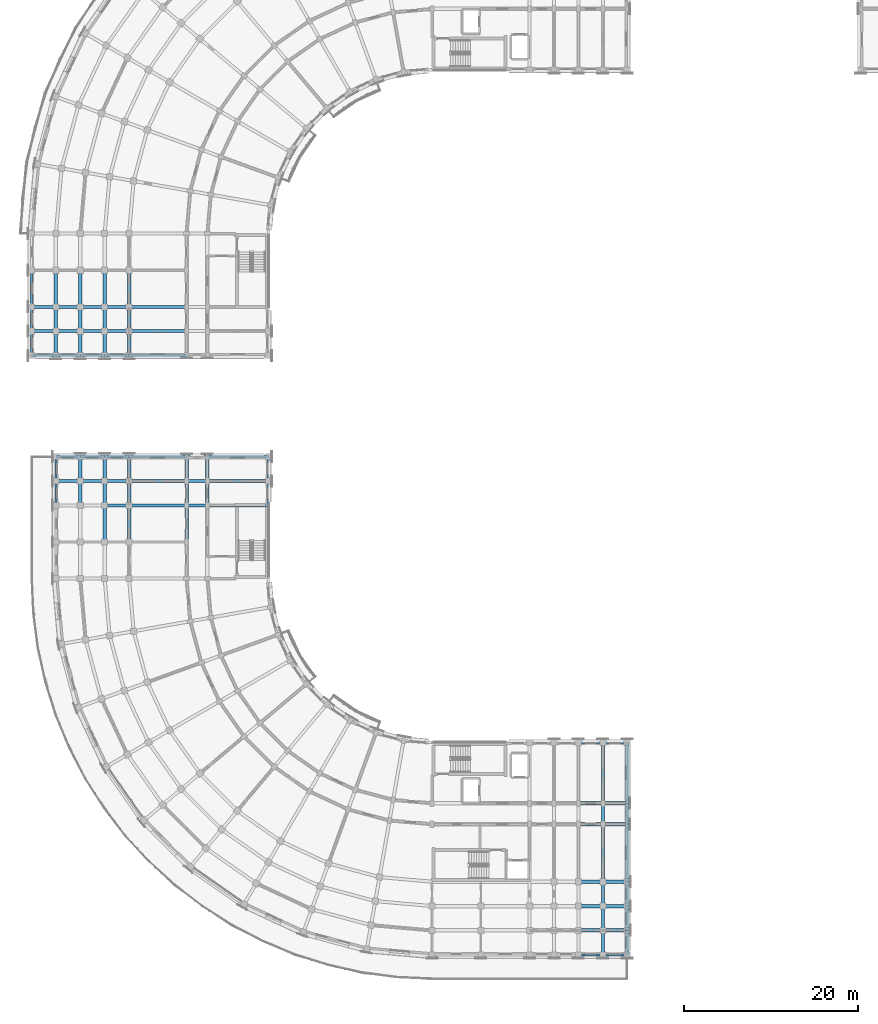
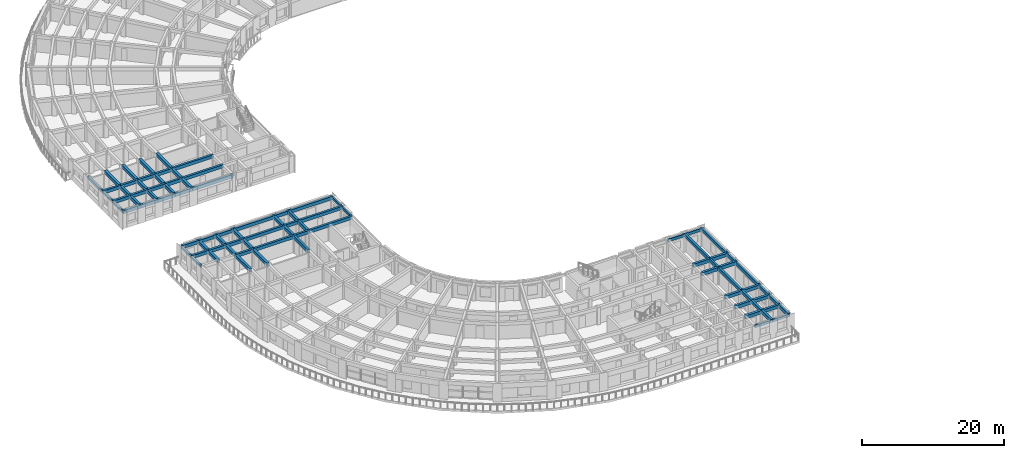
# One storey, part 7 of 57: 89 beams.
"""IFC4 building model written with IfcOpenShell, lengths in metres."""

from ifc_helpers import new_model, si_unit, direction, frame, origin, origin_2d, place, context, subcontext, project, spatial, rectangle, extrude, material, material_profile, profile_set, type_object, element, save


model = new_model("IFC4")

# Units and contexts
model_context = context("Model", 3, precision=1e-05, world=origin(), true_north=direction((0.0, 1.0)))
body_context = subcontext(model_context, "Body", "Model", "MODEL_VIEW")
ifc_project = project(units=[si_unit("LENGTHUNIT", "METRE"), si_unit("AREAUNIT", "SQUARE_METRE"), si_unit("VOLUMEUNIT", "CUBIC_METRE"), si_unit("PLANEANGLEUNIT", "RADIAN"), si_unit("MASSUNIT", "GRAM", prefix="KILO")], contexts=[model_context])

# Site, building, storey
site_placement = place(None, origin())
site = spatial("IfcSite", under=ifc_project, at=site_placement, CompositionType="ELEMENT")
building_placement = place(site_placement, origin())
building = spatial("IfcBuilding", under=site, at=building_placement, Name="Kiranvali Square Residences", CompositionType="ELEMENT")
storey_placement = place(building_placement, frame((0.0, 0.0, 21.300048828125)))
storey = spatial("IfcBuildingStorey", under=building, at=storey_placement, Name="L06", CompositionType="ELEMENT", Elevation=21.300048828125)

# Beams
ifc_material_1 = material(Name="Concrete M40 (40 MPa)", Category="concrete")
ifc_material_profile_1 = material_profile(ifc_material_1, rectangle(XDim=0.35009765625, YDim=0.550048828125, at=origin_2d()), Name="RC 350x550")
ifc_profile_set_1 = profile_set([ifc_material_profile_1], Name="Concrete M40 (40 MPa)")
beam_type_1 = type_object("IfcBeamType", Name="BM-M40-350x550", PredefinedType="BEAM", material=ifc_profile_set_1)
beam_1_placement = place(storey_placement, frame((20.0, 79.39990234375, 2.655029296875), z_axis=(-1.0, 0.0, 0.0), x_axis=(0.0, -1.0, 0.0)))
element("IfcBeam", 1, at=beam_1_placement, inside=storey, type_object=beam_type_1, Name="L06 beam BM-A-L06-A2T1-23", PredefinedType="BEAM", context=body_context, shape_type="SweptSolid", body=[
    extrude(rectangle(XDim=0.35009765625, YDim=0.550048828125, at=origin_2d()), origin(), (0.0, 0.0, 1.0), 6.60009765625),
])
beam_2_placement = place(storey_placement, frame((13.39990234375, 79.39990234375, 2.655029296875), z_axis=(-1.0, 0.0, 0.0), x_axis=(0.0, -1.0, 0.0)))
element("IfcBeam", 2, at=beam_2_placement, inside=storey, type_object=beam_type_1, Name="L06 beam BM-A-L06-A2T1-34", PredefinedType="BEAM", context=body_context, shape_type="SweptSolid", body=[
    extrude(rectangle(XDim=0.35009765625, YDim=0.550048828125, at=origin_2d()), origin(), (0.0, 0.0, 1.0), 2.7998046875),
])
for number, where, z_axis, x_axis, name in (
    (3, (10.60009765625, 79.39990234375, 2.655029296875), (-1.0, 0.0, 0.0), (0.0, -1.0, 0.0), "L06 beam BM-A-L06-A2T1-45"),
    (4, (7.800048828125, 79.39990234375, 2.655029296875), (-1.0, 0.0, 0.0), (0.0, -1.0, 0.0), "L06 beam BM-A-L06-A2T1-56"),
    (5, (5.0, 79.39990234375, 2.655029296875), (-1.0, 0.0, 0.0), (0.0, -1.0, 0.0), "L06 beam BM-A-L06-A2T1-67"),
):
    element("IfcBeam", number, at=place(storey_placement, frame(where, z_axis=z_axis, x_axis=x_axis)), inside=storey, type_object=beam_type_1, Name=name, PredefinedType="BEAM", context=body_context, shape_type="SweptSolid", body=[
        extrude(rectangle(XDim=0.35009765625, YDim=0.550048828125, at=origin_2d()), origin(), (0.0, 0.0, 1.0), 2.800048828125),
    ])
beam_3_placement = place(storey_placement, frame((20.0, 76.60009765625, 2.655029296875), z_axis=(-1.0, 0.0, 0.0), x_axis=(0.0, -1.0, 0.0)))
element("IfcBeam", 6, at=beam_3_placement, inside=storey, type_object=beam_type_1, Name="L06 beam BM-A-L06-A2T2-23", PredefinedType="BEAM", context=body_context, shape_type="SweptSolid", body=[
    extrude(rectangle(XDim=0.35009765625, YDim=0.550048828125, at=origin_2d()), origin(), (0.0, 0.0, 1.0), 6.60009765625),
])
beam_4_placement = place(storey_placement, frame((13.39990234375, 76.60009765625, 2.655029296875), z_axis=(-1.0, 0.0, 0.0), x_axis=(0.0, -1.0, 0.0)))
element("IfcBeam", 7, at=beam_4_placement, inside=storey, type_object=beam_type_1, Name="L06 beam BM-A-L06-A2T2-34", PredefinedType="BEAM", context=body_context, shape_type="SweptSolid", body=[
    extrude(rectangle(XDim=0.35009765625, YDim=0.550048828125, at=origin_2d()), origin(), (0.0, 0.0, 1.0), 2.7998046875),
])
for number, where, z_axis, x_axis, name in (
    (8, (10.60009765625, 76.60009765625, 2.655029296875), (-1.0, 0.0, 0.0), (0.0, -1.0, 0.0), "L06 beam BM-A-L06-A2T2-45"),
    (9, (7.800048828125, 76.60009765625, 2.655029296875), (-1.0, 0.0, 0.0), (0.0, -1.0, 0.0), "L06 beam BM-A-L06-A2T2-56"),
    (10, (5.0, 76.60009765625, 2.655029296875), (-1.0, 0.0, 0.0), (0.0, -1.0, 0.0), "L06 beam BM-A-L06-A2T2-67"),
):
    element("IfcBeam", number, at=place(storey_placement, frame(where, z_axis=z_axis, x_axis=x_axis)), inside=storey, type_object=beam_type_1, Name=name, PredefinedType="BEAM", context=body_context, shape_type="SweptSolid", body=[
        extrude(rectangle(XDim=0.35009765625, YDim=0.550048828125, at=origin_2d()), origin(), (0.0, 0.0, 1.0), 2.800048828125),
    ])
beam_5_placement = place(storey_placement, frame((20.0, 73.800048828125, 2.655029296875), z_axis=(-1.0, 0.0, 0.0), x_axis=(0.0, -1.0, 0.0)))
element("IfcBeam", 11, at=beam_5_placement, inside=storey, type_object=beam_type_1, Name="L06 beam BM-A-L06-A2T3-23", PredefinedType="BEAM", context=body_context, shape_type="SweptSolid", body=[
    extrude(rectangle(XDim=0.35009765625, YDim=0.550048828125, at=origin_2d()), origin(), (0.0, 0.0, 1.0), 6.60009765625),
])
beam_6_placement = place(storey_placement, frame((13.39990234375, 73.800048828125, 2.655029296875), z_axis=(-1.0, 0.0, 0.0), x_axis=(0.0, -1.0, 0.0)))
element("IfcBeam", 12, at=beam_6_placement, inside=storey, type_object=beam_type_1, Name="L06 beam BM-A-L06-A2T3-34", PredefinedType="BEAM", context=body_context, shape_type="SweptSolid", body=[
    extrude(rectangle(XDim=0.35009765625, YDim=0.550048828125, at=origin_2d()), origin(), (0.0, 0.0, 1.0), 2.7998046875),
])
for number, where, z_axis, x_axis, name in (
    (13, (10.60009765625, 73.800048828125, 2.655029296875), (-1.0, 0.0, 0.0), (0.0, -1.0, 0.0), "L06 beam BM-A-L06-A2T3-45"),
    (14, (7.800048828125, 73.800048828125, 2.655029296875), (-1.0, 0.0, 0.0), (0.0, -1.0, 0.0), "L06 beam BM-A-L06-A2T3-56"),
    (15, (5.0, 73.800048828125, 2.655029296875), (-1.0, 0.0, 0.0), (0.0, -1.0, 0.0), "L06 beam BM-A-L06-A2T3-67"),
):
    element("IfcBeam", number, at=place(storey_placement, frame(where, z_axis=z_axis, x_axis=x_axis)), inside=storey, type_object=beam_type_1, Name=name, PredefinedType="BEAM", context=body_context, shape_type="SweptSolid", body=[
        extrude(rectangle(XDim=0.35009765625, YDim=0.550048828125, at=origin_2d()), origin(), (0.0, 0.0, 1.0), 2.800048828125),
    ])
beam_7_placement = place(storey_placement, frame((67.800048828125, 29.39990234375, 2.655029296875), z_axis=(0.0, -1.0, 0.0), x_axis=(1.0, 0.0, 0.0)))
element("IfcBeam", 16, at=beam_7_placement, inside=storey, type_object=beam_type_1, Name="L06 beam BM-C-L06-A1T4-01", PredefinedType="BEAM", context=body_context, shape_type="SweptSolid", body=[
    extrude(rectangle(XDim=0.35009765625, YDim=0.550048828125, at=origin_2d()), origin(), (0.0, 0.0, 1.0), 7.0),
])
beam_8_placement = place(storey_placement, frame((67.800048828125, 22.39990234375, 2.655029296875), z_axis=(0.0, -1.0, 0.0), x_axis=(1.0, 0.0, 0.0)))
element("IfcBeam", 17, at=beam_8_placement, inside=storey, type_object=beam_type_1, Name="L06 beam BM-C-L06-A1T4-12", PredefinedType="BEAM", context=body_context, shape_type="SweptSolid", body=[
    extrude(rectangle(XDim=0.35009765625, YDim=0.550048828125, at=origin_2d()), origin(), (0.0, 0.0, 1.0), 2.39990234375),
])
beam_9_placement = place(storey_placement, frame((67.800048828125, 20.0, 2.655029296875), z_axis=(0.0, -1.0, 0.0), x_axis=(1.0, 0.0, 0.0)))
element("IfcBeam", 18, at=beam_9_placement, inside=storey, type_object=beam_type_1, Name="L06 beam BM-C-L06-A1T4-23", PredefinedType="BEAM", context=body_context, shape_type="SweptSolid", body=[
    extrude(rectangle(XDim=0.35009765625, YDim=0.550048828125, at=origin_2d()), origin(), (0.0, 0.0, 1.0), 6.60009765625),
])
beam_10_placement = place(storey_placement, frame((67.800048828125, 13.39990234375, 2.655029296875), z_axis=(0.0, -1.0, 0.0), x_axis=(1.0, 0.0, 0.0)))
element("IfcBeam", 19, at=beam_10_placement, inside=storey, type_object=beam_type_1, Name="L06 beam BM-C-L06-A1T4-34", PredefinedType="BEAM", context=body_context, shape_type="SweptSolid", body=[
    extrude(rectangle(XDim=0.35009765625, YDim=0.550048828125, at=origin_2d()), origin(), (0.0, 0.0, 1.0), 2.7998046875),
])
for number, where, z_axis, x_axis, name in (
    (20, (67.800048828125, 10.60009765625, 2.655029296875), (0.0, -1.0, 0.0), (1.0, 0.0, 0.0), "L06 beam BM-C-L06-A1T4-45"),
    (21, (67.800048828125, 7.800048828125, 2.695068359375), (0.0, -1.0, 0.0), (1.0, 0.0, 0.0), "L06 beam BM-C-L06-A1T4-56"),
):
    element("IfcBeam", number, at=place(storey_placement, frame(where, z_axis=z_axis, x_axis=x_axis)), inside=storey, type_object=beam_type_1, Name=name, PredefinedType="BEAM", context=body_context, shape_type="SweptSolid", body=[
        extrude(rectangle(XDim=0.35009765625, YDim=0.550048828125, at=origin_2d()), origin(), (0.0, 0.0, 1.0), 2.800048828125),
    ])
beam_11_placement = place(storey_placement, frame((70.60009765625, 29.39990234375, 2.655029296875), z_axis=(0.0, -1.0, 0.0), x_axis=(1.0, 0.0, 0.0)))
element("IfcBeam", 22, at=beam_11_placement, inside=storey, type_object=beam_type_1, Name="L06 beam BM-C-L06-A1T5-01", PredefinedType="BEAM", context=body_context, shape_type="SweptSolid", body=[
    extrude(rectangle(XDim=0.35009765625, YDim=0.550048828125, at=origin_2d()), origin(), (0.0, 0.0, 1.0), 7.0),
])
beam_12_placement = place(storey_placement, frame((70.60009765625, 22.39990234375, 2.655029296875), z_axis=(0.0, -1.0, 0.0), x_axis=(1.0, 0.0, 0.0)))
element("IfcBeam", 23, at=beam_12_placement, inside=storey, type_object=beam_type_1, Name="L06 beam BM-C-L06-A1T5-12", PredefinedType="BEAM", context=body_context, shape_type="SweptSolid", body=[
    extrude(rectangle(XDim=0.35009765625, YDim=0.550048828125, at=origin_2d()), origin(), (0.0, 0.0, 1.0), 2.39990234375),
])
beam_13_placement = place(storey_placement, frame((70.60009765625, 20.0, 2.655029296875), z_axis=(0.0, -1.0, 0.0), x_axis=(1.0, 0.0, 0.0)))
element("IfcBeam", 24, at=beam_13_placement, inside=storey, type_object=beam_type_1, Name="L06 beam BM-C-L06-A1T5-23", PredefinedType="BEAM", context=body_context, shape_type="SweptSolid", body=[
    extrude(rectangle(XDim=0.35009765625, YDim=0.550048828125, at=origin_2d()), origin(), (0.0, 0.0, 1.0), 6.60009765625),
])
beam_14_placement = place(storey_placement, frame((70.60009765625, 13.39990234375, 2.655029296875), z_axis=(0.0, -1.0, 0.0), x_axis=(1.0, 0.0, 0.0)))
element("IfcBeam", 25, at=beam_14_placement, inside=storey, type_object=beam_type_1, Name="L06 beam BM-C-L06-A1T5-34", PredefinedType="BEAM", context=body_context, shape_type="SweptSolid", body=[
    extrude(rectangle(XDim=0.35009765625, YDim=0.550048828125, at=origin_2d()), origin(), (0.0, 0.0, 1.0), 2.7998046875),
])
for number, where, z_axis, x_axis, name in (
    (26, (70.60009765625, 10.60009765625, 2.655029296875), (0.0, -1.0, 0.0), (1.0, 0.0, 0.0), "L06 beam BM-C-L06-A1T5-45"),
    (27, (70.60009765625, 7.800048828125, 2.695068359375), (0.0, -1.0, 0.0), (1.0, 0.0, 0.0), "L06 beam BM-C-L06-A1T5-56"),
):
    element("IfcBeam", number, at=place(storey_placement, frame(where, z_axis=z_axis, x_axis=x_axis)), inside=storey, type_object=beam_type_1, Name=name, PredefinedType="BEAM", context=body_context, shape_type="SweptSolid", body=[
        extrude(rectangle(XDim=0.35009765625, YDim=0.550048828125, at=origin_2d()), origin(), (0.0, 0.0, 1.0), 2.800048828125),
    ])
beam_15_placement = place(storey_placement, frame((29.39990234375, 56.60009765625, 2.655029296875), z_axis=(-1.0, 0.0, 0.0), x_axis=(0.0, -1.0, 0.0)))
element("IfcBeam", 28, at=beam_15_placement, inside=storey, type_object=beam_type_1, Name="L06 beam BM-C-L06-A2T1-01", PredefinedType="BEAM", context=body_context, shape_type="SweptSolid", body=[
    extrude(rectangle(XDim=0.35009765625, YDim=0.550048828125, at=origin_2d()), origin(), (0.0, 0.0, 1.0), 7.0),
])
beam_16_placement = place(storey_placement, frame((22.39990234375, 56.60009765625, 2.655029296875), z_axis=(-1.0, 0.0, 0.0), x_axis=(0.0, -1.0, 0.0)))
element("IfcBeam", 29, at=beam_16_placement, inside=storey, type_object=beam_type_1, Name="L06 beam BM-C-L06-A2T1-12", PredefinedType="BEAM", context=body_context, shape_type="SweptSolid", body=[
    extrude(rectangle(XDim=0.35009765625, YDim=0.550048828125, at=origin_2d()), origin(), (0.0, 0.0, 1.0), 2.39990234375),
])
beam_17_placement = place(storey_placement, frame((20.0, 56.60009765625, 2.655029296875), z_axis=(-1.0, 0.0, 0.0), x_axis=(0.0, -1.0, 0.0)))
element("IfcBeam", 30, at=beam_17_placement, inside=storey, type_object=beam_type_1, Name="L06 beam BM-C-L06-A2T1-23", PredefinedType="BEAM", context=body_context, shape_type="SweptSolid", body=[
    extrude(rectangle(XDim=0.35009765625, YDim=0.550048828125, at=origin_2d()), origin(), (0.0, 0.0, 1.0), 6.60009765625),
])
beam_18_placement = place(storey_placement, frame((13.39990234375, 56.60009765625, 2.655029296875), z_axis=(-1.0, 0.0, 0.0), x_axis=(0.0, -1.0, 0.0)))
element("IfcBeam", 31, at=beam_18_placement, inside=storey, type_object=beam_type_1, Name="L06 beam BM-C-L06-A2T1-34", PredefinedType="BEAM", context=body_context, shape_type="SweptSolid", body=[
    extrude(rectangle(XDim=0.35009765625, YDim=0.550048828125, at=origin_2d()), origin(), (0.0, 0.0, 1.0), 2.7998046875),
])
beam_19_placement = place(storey_placement, frame((29.39990234375, 59.39990234375, 2.655029296875), z_axis=(-1.0, 0.0, 0.0), x_axis=(0.0, -1.0, 0.0)))
element("IfcBeam", 32, at=beam_19_placement, inside=storey, type_object=beam_type_1, Name="L06 beam BM-C-L06-A2T2-01", PredefinedType="BEAM", context=body_context, shape_type="SweptSolid", body=[
    extrude(rectangle(XDim=0.35009765625, YDim=0.550048828125, at=origin_2d()), origin(), (0.0, 0.0, 1.0), 7.0),
])
beam_20_placement = place(storey_placement, frame((22.39990234375, 59.39990234375, 2.655029296875), z_axis=(-1.0, 0.0, 0.0), x_axis=(0.0, -1.0, 0.0)))
element("IfcBeam", 33, at=beam_20_placement, inside=storey, type_object=beam_type_1, Name="L06 beam BM-C-L06-A2T2-12", PredefinedType="BEAM", context=body_context, shape_type="SweptSolid", body=[
    extrude(rectangle(XDim=0.35009765625, YDim=0.550048828125, at=origin_2d()), origin(), (0.0, 0.0, 1.0), 2.39990234375),
])
beam_21_placement = place(storey_placement, frame((20.0, 59.39990234375, 2.655029296875), z_axis=(-1.0, 0.0, 0.0), x_axis=(0.0, -1.0, 0.0)))
element("IfcBeam", 34, at=beam_21_placement, inside=storey, type_object=beam_type_1, Name="L06 beam BM-C-L06-A2T2-23", PredefinedType="BEAM", context=body_context, shape_type="SweptSolid", body=[
    extrude(rectangle(XDim=0.35009765625, YDim=0.550048828125, at=origin_2d()), origin(), (0.0, 0.0, 1.0), 6.60009765625),
])
beam_22_placement = place(storey_placement, frame((13.39990234375, 59.39990234375, 2.655029296875), z_axis=(-1.0, 0.0, 0.0), x_axis=(0.0, -1.0, 0.0)))
element("IfcBeam", 35, at=beam_22_placement, inside=storey, type_object=beam_type_1, Name="L06 beam BM-C-L06-A2T2-34", PredefinedType="BEAM", context=body_context, shape_type="SweptSolid", body=[
    extrude(rectangle(XDim=0.35009765625, YDim=0.550048828125, at=origin_2d()), origin(), (0.0, 0.0, 1.0), 2.7998046875),
])
for number, where, z_axis, x_axis, name in (
    (36, (10.60009765625, 59.39990234375, 2.655029296875), (-1.0, 0.0, 0.0), (0.0, -1.0, 0.0), "L06 beam BM-C-L06-A2T2-45"),
    (37, (7.800048828125, 59.39990234375, 2.695068359375), (-1.0, 0.0, 0.0), (0.0, -1.0, 0.0), "L06 beam BM-C-L06-A2T2-56"),
):
    element("IfcBeam", number, at=place(storey_placement, frame(where, z_axis=z_axis, x_axis=x_axis)), inside=storey, type_object=beam_type_1, Name=name, PredefinedType="BEAM", context=body_context, shape_type="SweptSolid", body=[
        extrude(rectangle(XDim=0.35009765625, YDim=0.550048828125, at=origin_2d()), origin(), (0.0, 0.0, 1.0), 2.800048828125),
    ])
beam_23_placement = place(storey_placement, frame((29.39990234375, 62.199951171875, 2.655029296875), z_axis=(-1.0, 0.0, 0.0), x_axis=(0.0, -1.0, 0.0)))
element("IfcBeam", 38, at=beam_23_placement, inside=storey, type_object=beam_type_1, Name="L06 beam BM-C-L06-A2T3-01", PredefinedType="BEAM", context=body_context, shape_type="SweptSolid", body=[
    extrude(rectangle(XDim=0.35009765625, YDim=0.550048828125, at=origin_2d()), origin(), (0.0, 0.0, 1.0), 7.0),
])
beam_24_placement = place(storey_placement, frame((22.39990234375, 62.199951171875, 2.655029296875), z_axis=(-1.0, 0.0, 0.0), x_axis=(0.0, -1.0, 0.0)))
element("IfcBeam", 39, at=beam_24_placement, inside=storey, type_object=beam_type_1, Name="L06 beam BM-C-L06-A2T3-12", PredefinedType="BEAM", context=body_context, shape_type="SweptSolid", body=[
    extrude(rectangle(XDim=0.35009765625, YDim=0.550048828125, at=origin_2d()), origin(), (0.0, 0.0, 1.0), 2.39990234375),
])
beam_25_placement = place(storey_placement, frame((20.0, 62.199951171875, 2.655029296875), z_axis=(-1.0, 0.0, 0.0), x_axis=(0.0, -1.0, 0.0)))
element("IfcBeam", 40, at=beam_25_placement, inside=storey, type_object=beam_type_1, Name="L06 beam BM-C-L06-A2T3-23", PredefinedType="BEAM", context=body_context, shape_type="SweptSolid", body=[
    extrude(rectangle(XDim=0.35009765625, YDim=0.550048828125, at=origin_2d()), origin(), (0.0, 0.0, 1.0), 6.60009765625),
])
beam_26_placement = place(storey_placement, frame((13.39990234375, 62.199951171875, 2.655029296875), z_axis=(-1.0, 0.0, 0.0), x_axis=(0.0, -1.0, 0.0)))
element("IfcBeam", 41, at=beam_26_placement, inside=storey, type_object=beam_type_1, Name="L06 beam BM-C-L06-A2T3-34", PredefinedType="BEAM", context=body_context, shape_type="SweptSolid", body=[
    extrude(rectangle(XDim=0.35009765625, YDim=0.550048828125, at=origin_2d()), origin(), (0.0, 0.0, 1.0), 2.7998046875),
])
for number, where, z_axis, x_axis, name in (
    (42, (10.60009765625, 62.199951171875, 2.655029296875), (-1.0, 0.0, 0.0), (0.0, -1.0, 0.0), "L06 beam BM-C-L06-A2T3-45"),
    (43, (7.800048828125, 62.199951171875, 2.695068359375), (-1.0, 0.0, 0.0), (0.0, -1.0, 0.0), "L06 beam BM-C-L06-A2T3-56"),
):
    element("IfcBeam", number, at=place(storey_placement, frame(where, z_axis=z_axis, x_axis=x_axis)), inside=storey, type_object=beam_type_1, Name=name, PredefinedType="BEAM", context=body_context, shape_type="SweptSolid", body=[
        extrude(rectangle(XDim=0.35009765625, YDim=0.550048828125, at=origin_2d()), origin(), (0.0, 0.0, 1.0), 2.800048828125),
    ])
ifc_material_2 = material(Name="Concrete M45 (45 MPa)", Category="concrete")
ifc_material_profile_2 = material_profile(ifc_material_2, rectangle(XDim=0.39990234375, YDim=0.550048828125, at=origin_2d()), Name="RC 400x550")
ifc_profile_set_2 = profile_set([ifc_material_profile_2], Name="Concrete M45 (45 MPa)")
beam_type_2 = type_object("IfcBeamType", Name="BM-M45-400x550", PredefinedType="BEAM", material=ifc_profile_set_2)
beam_27_placement = place(storey_placement, frame((13.39990234375, 83.60009765625, 2.655029296875), z_axis=(0.0, -1.0, 0.0), x_axis=(1.0, 0.0, 0.0)))
element("IfcBeam", 44, at=beam_27_placement, inside=storey, type_object=beam_type_2, Name="L06 beam BM-A-L06-A2V1-R3", PredefinedType="BEAM", context=body_context, shape_type="SweptSolid", body=[
    extrude(rectangle(XDim=0.39990234375, YDim=0.550048828125, at=origin_2d()), origin(), (0.0, 0.0, 1.0), 4.2001953125),
])
beam_28_placement = place(storey_placement, frame((13.39990234375, 79.39990234375, 2.655029296875), z_axis=(0.0, -1.0, 0.0), x_axis=(1.0, 0.0, 0.0)))
element("IfcBeam", 45, at=beam_28_placement, inside=storey, type_object=beam_type_2, Name="L06 beam BM-A-L06-A2V2-R3", PredefinedType="BEAM", context=body_context, shape_type="SweptSolid", body=[
    extrude(rectangle(XDim=0.39990234375, YDim=0.550048828125, at=origin_2d()), origin(), (0.0, 0.0, 1.0), 2.7998046875),
])
beam_29_placement = place(storey_placement, frame((13.39990234375, 76.60009765625, 2.655029296875), z_axis=(0.0, -1.0, 0.0), x_axis=(1.0, 0.0, 0.0)))
element("IfcBeam", 46, at=beam_29_placement, inside=storey, type_object=beam_type_2, Name="L06 beam BM-A-L06-A2V3-R3", PredefinedType="BEAM", context=body_context, shape_type="SweptSolid", body=[
    extrude(rectangle(XDim=0.39990234375, YDim=0.550048828125, at=origin_2d()), origin(), (0.0, 0.0, 1.0), 2.800048828125),
])
beam_30_placement = place(storey_placement, frame((10.60009765625, 83.60009765625, 2.655029296875), z_axis=(0.0, -1.0, 0.0), x_axis=(1.0, 0.0, 0.0)))
element("IfcBeam", 47, at=beam_30_placement, inside=storey, type_object=beam_type_2, Name="L06 beam BM-A-L06-A2V1-R4", PredefinedType="BEAM", context=body_context, shape_type="SweptSolid", body=[
    extrude(rectangle(XDim=0.39990234375, YDim=0.550048828125, at=origin_2d()), origin(), (0.0, 0.0, 1.0), 4.2001953125),
])
beam_31_placement = place(storey_placement, frame((10.60009765625, 79.39990234375, 2.655029296875), z_axis=(0.0, -1.0, 0.0), x_axis=(1.0, 0.0, 0.0)))
element("IfcBeam", 48, at=beam_31_placement, inside=storey, type_object=beam_type_2, Name="L06 beam BM-A-L06-A2V2-R4", PredefinedType="BEAM", context=body_context, shape_type="SweptSolid", body=[
    extrude(rectangle(XDim=0.39990234375, YDim=0.550048828125, at=origin_2d()), origin(), (0.0, 0.0, 1.0), 2.7998046875),
])
beam_32_placement = place(storey_placement, frame((10.60009765625, 76.60009765625, 2.655029296875), z_axis=(0.0, -1.0, 0.0), x_axis=(1.0, 0.0, 0.0)))
element("IfcBeam", 49, at=beam_32_placement, inside=storey, type_object=beam_type_2, Name="L06 beam BM-A-L06-A2V3-R4", PredefinedType="BEAM", context=body_context, shape_type="SweptSolid", body=[
    extrude(rectangle(XDim=0.39990234375, YDim=0.550048828125, at=origin_2d()), origin(), (0.0, 0.0, 1.0), 2.800048828125),
])
beam_33_placement = place(storey_placement, frame((7.800048828125, 83.60009765625, 2.655029296875), z_axis=(0.0, -1.0, 0.0), x_axis=(1.0, 0.0, 0.0)))
element("IfcBeam", 50, at=beam_33_placement, inside=storey, type_object=beam_type_2, Name="L06 beam BM-A-L06-A2V1-R5", PredefinedType="BEAM", context=body_context, shape_type="SweptSolid", body=[
    extrude(rectangle(XDim=0.39990234375, YDim=0.550048828125, at=origin_2d()), origin(), (0.0, 0.0, 1.0), 4.2001953125),
])
beam_34_placement = place(storey_placement, frame((7.800048828125, 79.39990234375, 2.655029296875), z_axis=(0.0, -1.0, 0.0), x_axis=(1.0, 0.0, 0.0)))
element("IfcBeam", 51, at=beam_34_placement, inside=storey, type_object=beam_type_2, Name="L06 beam BM-A-L06-A2V2-R5", PredefinedType="BEAM", context=body_context, shape_type="SweptSolid", body=[
    extrude(rectangle(XDim=0.39990234375, YDim=0.550048828125, at=origin_2d()), origin(), (0.0, 0.0, 1.0), 2.7998046875),
])
beam_35_placement = place(storey_placement, frame((7.800048828125, 76.60009765625, 2.655029296875), z_axis=(0.0, -1.0, 0.0), x_axis=(1.0, 0.0, 0.0)))
element("IfcBeam", 52, at=beam_35_placement, inside=storey, type_object=beam_type_2, Name="L06 beam BM-A-L06-A2V3-R5", PredefinedType="BEAM", context=body_context, shape_type="SweptSolid", body=[
    extrude(rectangle(XDim=0.39990234375, YDim=0.550048828125, at=origin_2d()), origin(), (0.0, 0.0, 1.0), 2.800048828125),
])
beam_36_placement = place(storey_placement, frame((5.0, 83.60009765625, 2.655029296875), z_axis=(0.0, -1.0, 0.0), x_axis=(1.0, 0.0, 0.0)))
element("IfcBeam", 53, at=beam_36_placement, inside=storey, type_object=beam_type_2, Name="L06 beam BM-A-L06-A2V1-R6", PredefinedType="BEAM", context=body_context, shape_type="SweptSolid", body=[
    extrude(rectangle(XDim=0.39990234375, YDim=0.550048828125, at=origin_2d()), origin(), (0.0, 0.0, 1.0), 4.2001953125),
])
beam_37_placement = place(storey_placement, frame((5.0, 79.39990234375, 2.655029296875), z_axis=(0.0, -1.0, 0.0), x_axis=(1.0, 0.0, 0.0)))
element("IfcBeam", 54, at=beam_37_placement, inside=storey, type_object=beam_type_2, Name="L06 beam BM-A-L06-A2V2-R6", PredefinedType="BEAM", context=body_context, shape_type="SweptSolid", body=[
    extrude(rectangle(XDim=0.39990234375, YDim=0.550048828125, at=origin_2d()), origin(), (0.0, 0.0, 1.0), 2.7998046875),
])
for number, where, z_axis, x_axis, name in (
    (55, (5.0, 76.60009765625, 2.655029296875), (0.0, -1.0, 0.0), (1.0, 0.0, 0.0), "L06 beam BM-A-L06-A2V3-R6"),
    (56, (65.0, 22.39990234375, 2.655029296875), (1.0, 0.0, 0.0), (0.0, 1.0, 0.0), "L06 beam BM-C-L06-A1U3-R1"),
    (57, (67.800048828125, 22.39990234375, 2.655029296875), (1.0, 0.0, 0.0), (0.0, 1.0, 0.0), "L06 beam BM-C-L06-A1U4-R1"),
    (58, (65.0, 20.0, 2.655029296875), (1.0, 0.0, 0.0), (0.0, 1.0, 0.0), "L06 beam BM-C-L06-A1U3-R2"),
    (59, (67.800048828125, 20.0, 2.655029296875), (1.0, 0.0, 0.0), (0.0, 1.0, 0.0), "L06 beam BM-C-L06-A1U4-R2"),
    (60, (65.0, 13.39990234375, 2.655029296875), (1.0, 0.0, 0.0), (0.0, 1.0, 0.0), "L06 beam BM-C-L06-A1U3-R3"),
    (61, (67.800048828125, 13.39990234375, 2.655029296875), (1.0, 0.0, 0.0), (0.0, 1.0, 0.0), "L06 beam BM-C-L06-A1U4-R3"),
    (62, (65.0, 10.60009765625, 2.655029296875), (1.0, 0.0, 0.0), (0.0, 1.0, 0.0), "L06 beam BM-C-L06-A1U4-R4"),
    (63, (67.800048828125, 10.60009765625, 2.655029296875), (1.0, 0.0, 0.0), (0.0, 1.0, 0.0), "L06 beam BM-C-L06-A1U5-R4"),
    (64, (65.0, 7.800048828125, 2.655029296875), (1.0, 0.0, 0.0), (0.0, 1.0, 0.0), "L06 beam BM-C-L06-A1U4-R5"),
    (65, (67.800048828125, 7.800048828125, 2.655029296875), (1.0, 0.0, 0.0), (0.0, 1.0, 0.0), "L06 beam BM-C-L06-A1U5-R5"),
):
    element("IfcBeam", number, at=place(storey_placement, frame(where, z_axis=z_axis, x_axis=x_axis)), inside=storey, type_object=beam_type_2, Name=name, PredefinedType="BEAM", context=body_context, shape_type="SweptSolid", body=[
        extrude(rectangle(XDim=0.39990234375, YDim=0.550048828125, at=origin_2d()), origin(), (0.0, 0.0, 1.0), 2.800048828125),
    ])
beam_38_placement = place(storey_placement, frame((22.39990234375, 56.60009765625, 2.655029296875), z_axis=(0.0, 1.0, 0.0), x_axis=(-1.0, 0.0, 0.0)))
element("IfcBeam", 66, at=beam_38_placement, inside=storey, type_object=beam_type_2, Name="L06 beam BM-C-L06-A2V1-R1", PredefinedType="BEAM", context=body_context, shape_type="SweptSolid", body=[
    extrude(rectangle(XDim=0.39990234375, YDim=0.550048828125, at=origin_2d()), origin(), (0.0, 0.0, 1.0), 2.7998046875),
])
beam_39_placement = place(storey_placement, frame((22.39990234375, 59.39990234375, 2.655029296875), z_axis=(0.0, 1.0, 0.0), x_axis=(-1.0, 0.0, 0.0)))
element("IfcBeam", 67, at=beam_39_placement, inside=storey, type_object=beam_type_2, Name="L06 beam BM-C-L06-A2V2-R1", PredefinedType="BEAM", context=body_context, shape_type="SweptSolid", body=[
    extrude(rectangle(XDim=0.39990234375, YDim=0.550048828125, at=origin_2d()), origin(), (0.0, 0.0, 1.0), 2.800048828125),
])
beam_40_placement = place(storey_placement, frame((20.0, 52.39990234375, 2.655029296875), z_axis=(0.0, 1.0, 0.0), x_axis=(-1.0, 0.0, 0.0)))
element("IfcBeam", 68, at=beam_40_placement, inside=storey, type_object=beam_type_2, Name="L06 beam BM-C-L06-A2V1-R2", PredefinedType="BEAM", context=body_context, shape_type="SweptSolid", body=[
    extrude(rectangle(XDim=0.39990234375, YDim=0.550048828125, at=origin_2d()), origin(), (0.0, 0.0, 1.0), 4.2001953125),
])
beam_41_placement = place(storey_placement, frame((20.0, 56.60009765625, 2.655029296875), z_axis=(0.0, 1.0, 0.0), x_axis=(-1.0, 0.0, 0.0)))
element("IfcBeam", 69, at=beam_41_placement, inside=storey, type_object=beam_type_2, Name="L06 beam BM-C-L06-A2V2-R2", PredefinedType="BEAM", context=body_context, shape_type="SweptSolid", body=[
    extrude(rectangle(XDim=0.39990234375, YDim=0.550048828125, at=origin_2d()), origin(), (0.0, 0.0, 1.0), 2.7998046875),
])
beam_42_placement = place(storey_placement, frame((20.0, 59.39990234375, 2.655029296875), z_axis=(0.0, 1.0, 0.0), x_axis=(-1.0, 0.0, 0.0)))
element("IfcBeam", 70, at=beam_42_placement, inside=storey, type_object=beam_type_2, Name="L06 beam BM-C-L06-A2V3-R2", PredefinedType="BEAM", context=body_context, shape_type="SweptSolid", body=[
    extrude(rectangle(XDim=0.39990234375, YDim=0.550048828125, at=origin_2d()), origin(), (0.0, 0.0, 1.0), 2.800048828125),
])
beam_43_placement = place(storey_placement, frame((13.39990234375, 52.39990234375, 2.655029296875), z_axis=(0.0, 1.0, 0.0), x_axis=(-1.0, 0.0, 0.0)))
element("IfcBeam", 71, at=beam_43_placement, inside=storey, type_object=beam_type_2, Name="L06 beam BM-C-L06-A2V1-R3", PredefinedType="BEAM", context=body_context, shape_type="SweptSolid", body=[
    extrude(rectangle(XDim=0.39990234375, YDim=0.550048828125, at=origin_2d()), origin(), (0.0, 0.0, 1.0), 4.2001953125),
])
beam_44_placement = place(storey_placement, frame((13.39990234375, 56.60009765625, 2.655029296875), z_axis=(0.0, 1.0, 0.0), x_axis=(-1.0, 0.0, 0.0)))
element("IfcBeam", 72, at=beam_44_placement, inside=storey, type_object=beam_type_2, Name="L06 beam BM-C-L06-A2V2-R3", PredefinedType="BEAM", context=body_context, shape_type="SweptSolid", body=[
    extrude(rectangle(XDim=0.39990234375, YDim=0.550048828125, at=origin_2d()), origin(), (0.0, 0.0, 1.0), 2.7998046875),
])
beam_45_placement = place(storey_placement, frame((13.39990234375, 59.39990234375, 2.655029296875), z_axis=(0.0, 1.0, 0.0), x_axis=(-1.0, 0.0, 0.0)))
element("IfcBeam", 73, at=beam_45_placement, inside=storey, type_object=beam_type_2, Name="L06 beam BM-C-L06-A2V3-R3", PredefinedType="BEAM", context=body_context, shape_type="SweptSolid", body=[
    extrude(rectangle(XDim=0.39990234375, YDim=0.550048828125, at=origin_2d()), origin(), (0.0, 0.0, 1.0), 2.800048828125),
])
beam_46_placement = place(storey_placement, frame((10.60009765625, 52.39990234375, 2.655029296875), z_axis=(0.0, 1.0, 0.0), x_axis=(-1.0, 0.0, 0.0)))
element("IfcBeam", 74, at=beam_46_placement, inside=storey, type_object=beam_type_2, Name="L06 beam BM-C-L06-A2V1-R4", PredefinedType="BEAM", context=body_context, shape_type="SweptSolid", body=[
    extrude(rectangle(XDim=0.39990234375, YDim=0.550048828125, at=origin_2d()), origin(), (0.0, 0.0, 1.0), 4.2001953125),
])
beam_47_placement = place(storey_placement, frame((10.60009765625, 56.60009765625, 2.655029296875), z_axis=(0.0, 1.0, 0.0), x_axis=(-1.0, 0.0, 0.0)))
element("IfcBeam", 75, at=beam_47_placement, inside=storey, type_object=beam_type_2, Name="L06 beam BM-C-L06-A2V2-R4", PredefinedType="BEAM", context=body_context, shape_type="SweptSolid", body=[
    extrude(rectangle(XDim=0.39990234375, YDim=0.550048828125, at=origin_2d()), origin(), (0.0, 0.0, 1.0), 2.7998046875),
])
beam_48_placement = place(storey_placement, frame((10.60009765625, 59.39990234375, 2.655029296875), z_axis=(0.0, 1.0, 0.0), x_axis=(-1.0, 0.0, 0.0)))
element("IfcBeam", 76, at=beam_48_placement, inside=storey, type_object=beam_type_2, Name="L06 beam BM-C-L06-A2V3-R4", PredefinedType="BEAM", context=body_context, shape_type="SweptSolid", body=[
    extrude(rectangle(XDim=0.39990234375, YDim=0.550048828125, at=origin_2d()), origin(), (0.0, 0.0, 1.0), 2.800048828125),
])
beam_49_placement = place(storey_placement, frame((7.800048828125, 56.60009765625, 2.655029296875), z_axis=(0.0, 1.0, 0.0), x_axis=(-1.0, 0.0, 0.0)))
element("IfcBeam", 77, at=beam_49_placement, inside=storey, type_object=beam_type_2, Name="L06 beam BM-C-L06-A2V2-R5", PredefinedType="BEAM", context=body_context, shape_type="SweptSolid", body=[
    extrude(rectangle(XDim=0.39990234375, YDim=0.550048828125, at=origin_2d()), origin(), (0.0, 0.0, 1.0), 2.7998046875),
])
beam_50_placement = place(storey_placement, frame((7.800048828125, 59.39990234375, 2.655029296875), z_axis=(0.0, 1.0, 0.0), x_axis=(-1.0, 0.0, 0.0)))
element("IfcBeam", 78, at=beam_50_placement, inside=storey, type_object=beam_type_2, Name="L06 beam BM-C-L06-A2V3-R5", PredefinedType="BEAM", context=body_context, shape_type="SweptSolid", body=[
    extrude(rectangle(XDim=0.39990234375, YDim=0.550048828125, at=origin_2d()), origin(), (0.0, 0.0, 1.0), 2.800048828125),
])
ifc_material_profile_3 = material_profile(ifc_material_1, rectangle(XDim=0.25, YDim=0.449951171875, at=origin_2d()), Name="RC 250x450")
ifc_profile_set_3 = profile_set([ifc_material_profile_3], Name="Concrete M40 (40 MPa)")
beam_type_3 = type_object("IfcBeamType", Name="SPN-M40-250x450", PredefinedType="SPANDREL", material=ifc_profile_set_3)
beam_51_placement = place(storey_placement, frame((2.199951171875, 83.60009765625, 2.704833984375), z_axis=(0.0, -1.0, 0.0), x_axis=(1.0, 0.0, 0.0)))
element("IfcBeam", 79, at=beam_51_placement, inside=storey, type_object=beam_type_3, Name="L06 beam BM-A-L06-A2V1-R7", PredefinedType="SPANDREL", context=body_context, shape_type="SweptSolid", body=[
    extrude(rectangle(XDim=0.25, YDim=0.449951171875, at=origin_2d()), origin(), (0.0, 0.0, 1.0), 4.2001953125),
])
beam_52_placement = place(storey_placement, frame((2.199951171875, 79.39990234375, 2.704833984375), z_axis=(0.0, -1.0, 0.0), x_axis=(1.0, 0.0, 0.0)))
element("IfcBeam", 80, at=beam_52_placement, inside=storey, type_object=beam_type_3, Name="L06 beam BM-A-L06-A2V2-R7", PredefinedType="SPANDREL", context=body_context, shape_type="SweptSolid", body=[
    extrude(rectangle(XDim=0.25, YDim=0.449951171875, at=origin_2d()), origin(), (0.0, 0.0, 1.0), 2.7998046875),
])
for number, where, z_axis, x_axis, name in (
    (81, (2.199951171875, 76.60009765625, 2.704833984375), (0.0, -1.0, 0.0), (1.0, 0.0, 0.0), "L06 beam BM-A-L06-A2V3-R7"),
    (82, (65.0, 29.39990234375, 2.704833984375), (1.0, 0.0, 0.0), (0.0, 1.0, 0.0), "L06 beam BM-C-L06-A1U3-R0"),
    (83, (67.800048828125, 29.39990234375, 2.704833984375), (1.0, 0.0, 0.0), (0.0, 1.0, 0.0), "L06 beam BM-C-L06-A1U4-R0"),
    (84, (65.0, 5.0, 2.744873046875), (1.0, 0.0, 0.0), (0.0, 1.0, 0.0), "L06 beam BM-C-L06-A1U4-R6"),
    (85, (67.800048828125, 5.0, 2.744873046875), (1.0, 0.0, 0.0), (0.0, 1.0, 0.0), "L06 beam BM-C-L06-A1U5-R6"),
):
    element("IfcBeam", number, at=place(storey_placement, frame(where, z_axis=z_axis, x_axis=x_axis)), inside=storey, type_object=beam_type_3, Name=name, PredefinedType="SPANDREL", context=body_context, shape_type="SweptSolid", body=[
        extrude(rectangle(XDim=0.25, YDim=0.449951171875, at=origin_2d()), origin(), (0.0, 0.0, 1.0), 2.800048828125),
    ])
beam_53_placement = place(storey_placement, frame((29.39990234375, 56.60009765625, 2.704833984375), z_axis=(0.0, 1.0, 0.0), x_axis=(-1.0, 0.0, 0.0)))
element("IfcBeam", 86, at=beam_53_placement, inside=storey, type_object=beam_type_3, Name="L06 beam BM-C-L06-A2V1-R0", PredefinedType="SPANDREL", context=body_context, shape_type="SweptSolid", body=[
    extrude(rectangle(XDim=0.25, YDim=0.449951171875, at=origin_2d()), origin(), (0.0, 0.0, 1.0), 2.7998046875),
])
beam_54_placement = place(storey_placement, frame((29.39990234375, 59.39990234375, 2.704833984375), z_axis=(0.0, 1.0, 0.0), x_axis=(-1.0, 0.0, 0.0)))
element("IfcBeam", 87, at=beam_54_placement, inside=storey, type_object=beam_type_3, Name="L06 beam BM-C-L06-A2V2-R0", PredefinedType="SPANDREL", context=body_context, shape_type="SweptSolid", body=[
    extrude(rectangle(XDim=0.25, YDim=0.449951171875, at=origin_2d()), origin(), (0.0, 0.0, 1.0), 2.800048828125),
])
beam_55_placement = place(storey_placement, frame((5.0, 56.60009765625, 2.744873046875), z_axis=(0.0, 1.0, 0.0), x_axis=(-1.0, 0.0, 0.0)))
element("IfcBeam", 88, at=beam_55_placement, inside=storey, type_object=beam_type_3, Name="L06 beam BM-C-L06-A2V2-R6", PredefinedType="SPANDREL", context=body_context, shape_type="SweptSolid", body=[
    extrude(rectangle(XDim=0.25, YDim=0.449951171875, at=origin_2d()), origin(), (0.0, 0.0, 1.0), 2.7998046875),
])
beam_56_placement = place(storey_placement, frame((5.0, 59.39990234375, 2.744873046875), z_axis=(0.0, 1.0, 0.0), x_axis=(-1.0, 0.0, 0.0)))
element("IfcBeam", 89, at=beam_56_placement, inside=storey, type_object=beam_type_3, Name="L06 beam BM-C-L06-A2V3-R6", PredefinedType="SPANDREL", context=body_context, shape_type="SweptSolid", body=[
    extrude(rectangle(XDim=0.25, YDim=0.449951171875, at=origin_2d()), origin(), (0.0, 0.0, 1.0), 2.800048828125),
])

save(model, "model.ifc")
